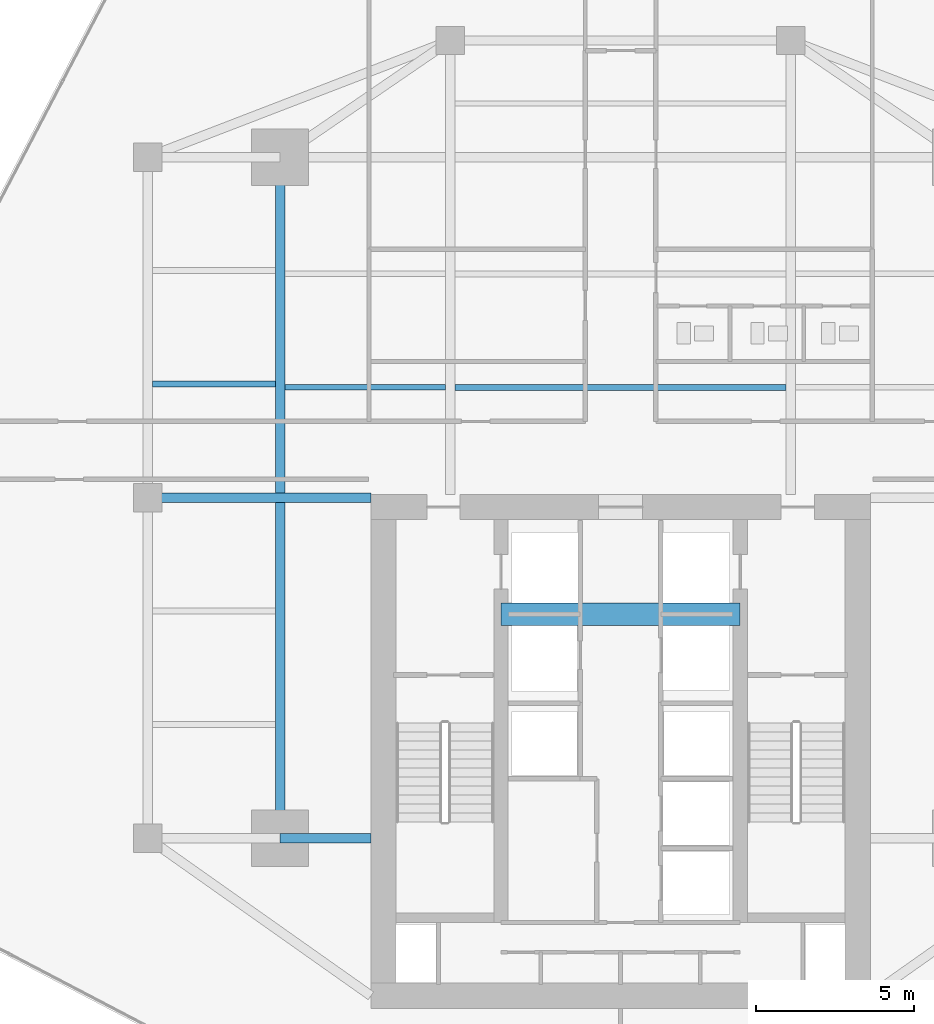
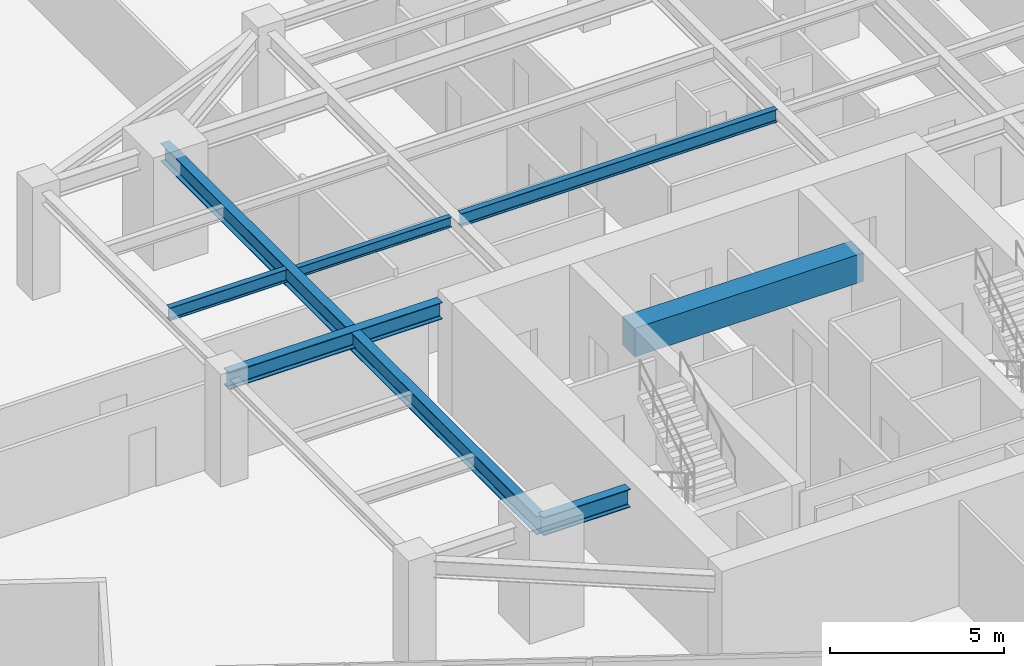
# One storey, part 8 of 27: 7 beams.
"""IFC4 building model written with IfcOpenShell, lengths in metres."""

import ifcopenshell
import ifcopenshell.guid

model = None  # the IFC model being written
_history = None  # IfcOwnerHistory: only IFC2X3 demands one
_inside = {}  # id of a spatial element -> (the spatial element, [elements in it])
_under = {}  # id of a project, library or spatial element -> (it, [spatial elements below it])
_declared = {}  # id of a project -> (the project, [libraries it declares])
_typed = {}  # id of a type object -> (the type object, [elements of that type])
_made_of = {}  # id of a material, layer set ... -> (it, [elements and type objects made of it])


def new_model(schema):
    """Start an empty IFC model of exactly this schema.

    Asked for "IFC4X3", IfcOpenShell would pick the latest addendum, in which some entities
    have other attributes; the version numbers below select the first issue.
    IFC2X3 requires an IfcOwnerHistory on every rooted entity: one is made here for all.
    """
    global model, _history
    if schema == "IFC4X3":
        model = ifcopenshell.file(schema_version=(4, 3, 0, 0))
    else:
        model = ifcopenshell.file(schema=schema)
    _inside.clear()
    _under.clear()
    _declared.clear()
    _typed.clear()
    _made_of.clear()
    _history = None
    if model.schema == "IFC2X3":
        org = make("IfcOrganization", Name="unknown")
        user = make(
            "IfcPersonAndOrganization",
            ThePerson=make("IfcPerson", FamilyName="unknown"),
            TheOrganization=org,
        )
        app = make(
            "IfcApplication",
            ApplicationDeveloper=org,
            Version="unknown",
            ApplicationFullName="unknown",
            ApplicationIdentifier="unknown",
        )
        _history = make(
            "IfcOwnerHistory",
            OwningUser=user,
            OwningApplication=app,
            ChangeAction="ADDED",
            CreationDate=0,
        )
    return model


def make(cls, **values):
    """One entity of the class cls with the attributes given. An attribute that is None is left unset."""
    return model.create_entity(
        cls, **{name: value for name, value in values.items() if value is not None}
    )


def rooted(cls, **values):
    """An entity with a GlobalId (a new one), such as an element, a storey or a relation."""
    return make(cls, GlobalId=ifcopenshell.guid.new(), OwnerHistory=_history, **values)


def si_unit(unit_type, name, prefix=None):
    """IfcSIUnit, for example si_unit("LENGTHUNIT", "METRE", prefix="MILLI")."""
    return make("IfcSIUnit", UnitType=unit_type, Prefix=prefix, Name=name)


def assignment(units):
    """IfcUnitAssignment: the units of a project."""
    return None if units is None else make("IfcUnitAssignment", Units=units)


def point(xyz):
    """IfcCartesianPoint."""
    return None if xyz is None else make("IfcCartesianPoint", Coordinates=xyz)


def direction(xyz):
    """IfcDirection."""
    return None if xyz is None else make("IfcDirection", DirectionRatios=xyz)


def frame(location, z_axis=None, x_axis=None):
    """IfcAxis2Placement3D, a coordinate frame: its origin and axes. An axis left out is left unset."""
    return make(
        "IfcAxis2Placement3D",
        Location=point(location),
        Axis=direction(z_axis),
        RefDirection=direction(x_axis),
    )


def frame_2d(location, x_axis=None):
    """IfcAxis2Placement2D, a coordinate frame in the plane: its origin and x axis."""
    return make(
        "IfcAxis2Placement2D", Location=point(location), RefDirection=direction(x_axis)
    )


def origin():
    """The frame at (0, 0, 0) with its axes left unset."""
    return frame((0.0, 0.0, 0.0))


def origin_2d():
    """The frame at (0, 0) in the plane with its x axis left unset."""
    return frame_2d((0.0, 0.0))


def place(relative_to, where):
    """IfcLocalPlacement: puts the frame where relative to a parent placement (None: the world)."""
    return make(
        "IfcLocalPlacement", PlacementRelTo=relative_to, RelativePlacement=where
    )


def context(
    kind, dimensions, precision=None, world=None, true_north=None, identifier=None
):
    """IfcGeometricRepresentationContext, for example the 3D "Model" context."""
    return make(
        "IfcGeometricRepresentationContext",
        ContextIdentifier=identifier,
        ContextType=kind,
        CoordinateSpaceDimension=dimensions,
        Precision=precision,
        WorldCoordinateSystem=world,
        TrueNorth=true_north,
    )


def subcontext(parent, identifier, kind, view, scale=None):
    """IfcGeometricRepresentationSubContext, for example "Body" below "Model"."""
    return make(
        "IfcGeometricRepresentationSubContext",
        ContextIdentifier=identifier,
        ContextType=kind,
        ParentContext=parent,
        TargetScale=scale,
        TargetView=view,
    )


def project(units=None, contexts=None):
    """IfcProject with its units and contexts."""
    return rooted(
        "IfcProject",
        Name="project",
        RepresentationContexts=contexts,
        UnitsInContext=assignment(units),
    )


def spatial(cls, under=None, at=None, **own):
    """A site, building, storey or space (cls), placed at a placement, below another one or the project."""
    s = rooted(cls, ObjectPlacement=at, **own)
    if under is not None:
        _under.setdefault(under.id(), (under, []))[1].append(s)
    return s


def profile(cls, at=None, kind="AREA", **sizes):
    """A parametric profile (cls). Its sizes go by their IFC names, for example OverallWidth=200.0."""
    return make(cls, ProfileType=kind, Position=at, **sizes)


def rectangle(**sizes):
    """IfcRectangleProfileDef."""
    return profile("IfcRectangleProfileDef", **sizes)


def i_section(**sizes):
    """IfcIShapeProfileDef."""
    return profile("IfcIShapeProfileDef", **sizes)


def extrude(swept, where, along, depth):
    """IfcExtrudedAreaSolid: the profile swept, set in the frame where, extruded along a direction by depth."""
    return make(
        "IfcExtrudedAreaSolid",
        SweptArea=swept,
        Position=where,
        ExtrudedDirection=direction(along),
        Depth=depth,
    )


def shape(context_of_items, identifier, shape_type, items):
    """IfcShapeRepresentation: the items that make up one representation, for example the "Body"."""
    return make(
        "IfcShapeRepresentation",
        ContextOfItems=context_of_items,
        RepresentationIdentifier=identifier,
        RepresentationType=shape_type,
        Items=items,
    )


def source(mapping_origin, context_of_items, identifier, shape_type, items):
    """IfcRepresentationMap: a shape defined once, which mapped items show again and again."""
    return make(
        "IfcRepresentationMap",
        MappingOrigin=mapping_origin,
        MappedRepresentation=shape(context_of_items, identifier, shape_type, items),
    )


def transform(
    local_origin,
    x_axis=None,
    y_axis=None,
    z_axis=None,
    scale=None,
    scale2=None,
    scale3=None,
    uniform=True,
):
    """IfcCartesianTransformationOperator3D, or its non-uniform kind. x_axis, y_axis, z_axis: its Axis1, 2, 3."""
    if uniform:
        return make(
            "IfcCartesianTransformationOperator3D",
            Axis1=direction(x_axis),
            Axis2=direction(y_axis),
            LocalOrigin=point(local_origin),
            Scale=scale,
            Axis3=direction(z_axis),
        )
    return make(
        "IfcCartesianTransformationOperator3DnonUniform",
        Axis1=direction(x_axis),
        Axis2=direction(y_axis),
        LocalOrigin=point(local_origin),
        Scale=scale,
        Axis3=direction(z_axis),
        Scale2=scale2,
        Scale3=scale3,
    )


def mapped(mapping_source, mapping_target):
    """IfcMappedItem: shows the shape of a source again, moved by a transform."""
    return make(
        "IfcMappedItem", MappingSource=mapping_source, MappingTarget=mapping_target
    )


def material(Name=None, Category=None):
    """IfcMaterial."""
    return make("IfcMaterial", Name=Name, Category=Category)


def material_profile(
    of_material, cross_section, Name=None, Category=None, Priority=None
):
    """IfcMaterialProfile: a cross section and its material."""
    return make(
        "IfcMaterialProfile",
        Name=Name,
        Material=of_material,
        Profile=cross_section,
        Priority=Priority,
        Category=Category,
    )


def profile_set(profiles, Name=None, composite=None):
    """IfcMaterialProfileSet."""
    return make(
        "IfcMaterialProfileSet",
        Name=Name,
        MaterialProfiles=profiles,
        CompositeProfile=composite,
    )


def made_of(thing, what):
    """Note that an element or type object is made of a material, layer set ...; save() writes the relation."""
    if what is not None:
        _made_of.setdefault(what.id(), (what, []))[1].append(thing)
    return thing


def type_object(cls, material=None, **own):
    """A type object (cls), such as IfcWallType, which elements share."""
    return made_of(rooted(cls, **own), material)


def type_shapes(of_type, sources):
    """Give a type object the sources (RepresentationMaps) that its elements show as mapped items."""
    of_type.RepresentationMaps = sources


def element(
    cls,
    number,
    at=None,
    inside=None,
    cuts=None,
    type_object=None,
    material=None,
    context=None,
    identifier="Body",
    shape_type=None,
    held_by="IfcProductDefinitionShape",
    body=None,
    shapes=None,
    **own,
):
    """One element of the class cls, such as IfcWall. Its Tag is "e" and its number.

    at: its placement. inside: the storey or other place that contains it. cuts: it is an
    opening in that element (IfcRelVoidsElement). A single representation is given by context,
    identifier, shape_type and body (its items); several are given by shapes. held_by: the class
    of the entity that holds the representations. save() writes the other relations.
    """
    e = rooted(cls, Tag="e%d" % number, ObjectPlacement=at, **own)
    if body is not None:
        shapes = [shape(context, identifier, shape_type, body)]
    if shapes is not None:
        e.Representation = make(held_by, Representations=shapes)
    if inside is not None:
        _inside.setdefault(inside.id(), (inside, []))[1].append(e)
    if cuts is not None:
        rooted(
            "IfcRelVoidsElement", RelatingBuildingElement=cuts, RelatedOpeningElement=e
        )
    if type_object is not None:
        _typed.setdefault(type_object.id(), (type_object, []))[1].append(e)
    return made_of(e, material)


def aggregate(whole, parts):
    """IfcRelAggregates: a whole, such as a stair, and the parts it consists of."""
    return rooted("IfcRelAggregates", RelatingObject=whole, RelatedObjects=parts)


def save(model, path):
    """Write the relations noted so far, then the file.

    IfcRelAggregates (storeys below a building ...), IfcRelContainedInSpatialStructure (elements
    in a storey), IfcRelDefinesByType, IfcRelAssociatesMaterial and IfcRelDeclares: one each for
    every whole, place, type object, material and project.
    """
    for whole, parts in _under.values():
        aggregate(whole, parts)
    for where, things in _inside.values():
        rooted(
            "IfcRelContainedInSpatialStructure",
            RelatedElements=things,
            RelatingStructure=where,
        )
    for kind, things in _typed.values():
        rooted("IfcRelDefinesByType", RelatedObjects=things, RelatingType=kind)
    for what, things in _made_of.values():
        rooted("IfcRelAssociatesMaterial", RelatedObjects=things, RelatingMaterial=what)
    for by, libraries in _declared.values():
        rooted("IfcRelDeclares", RelatingContext=by, RelatedDefinitions=libraries)
    model.write(path)


model = new_model("IFC4")

# Units and contexts
model_context = context("Model", 3, precision=1e-05, world=origin(), true_north=direction((0.0, 1.0)))
body_context = subcontext(model_context, "Body", "Model", "MODEL_VIEW")
ifc_project = project(units=[si_unit("LENGTHUNIT", "METRE"), si_unit("AREAUNIT", "SQUARE_METRE"), si_unit("VOLUMEUNIT", "CUBIC_METRE"), si_unit("PLANEANGLEUNIT", "RADIAN"), si_unit("MASSUNIT", "GRAM", prefix="KILO")], contexts=[model_context])

# Site, building, storey
site_placement = place(None, origin())
site = spatial("IfcSite", under=ifc_project, at=site_placement, CompositionType="ELEMENT")
building_placement = place(site_placement, origin())
building = spatial("IfcBuilding", under=site, at=building_placement, Name="Krantzveldt Concourse Tower", CompositionType="ELEMENT")
storey_placement = place(building_placement, frame((0.0, 0.0, 154.10009765625)))
storey = spatial("IfcBuildingStorey", under=building, at=storey_placement, Name="L37", CompositionType="ELEMENT", Elevation=154.10009765625)

# Beams
ifc_material_1 = material(Name="Steel S355JR", Category="steel")
ifc_material_profile_1 = material_profile(ifc_material_1, i_section(OverallWidth=0.300048828125, OverallDepth=0.639892578125, WebThickness=0.013427734375, FlangeThickness=0.02587890625, FilletRadius=0.027099609375, at=origin_2d()), Name="Steel S355JR", Category="steel")
ifc_profile_set_1 = profile_set([ifc_material_profile_1], Name="Steel S355JR - HEA 650")
beam_type_1 = type_object("IfcBeamType", Name="BM-B-HEA650", PredefinedType="BEAM", material=ifc_profile_set_1)
shared_shape_1 = source(origin(), body_context, "Body", "SweptSolid", [
    extrude(i_section(OverallWidth=0.300048828125, OverallDepth=0.639892578125, WebThickness=0.013427734375, FlangeThickness=0.02587890625, FilletRadius=0.027099609375, at=origin_2d()), origin(), (0.0, 0.0, 1.0), 21.60009765625),
])
beam_1_placement = place(storey_placement, frame((25.199951171875, 15.89990234375, 3.349853515625), z_axis=(0.0, 1.0, 0.0), x_axis=(-1.0, 0.0, 0.0)))
element("IfcBeam", 1, at=beam_1_placement, inside=storey, type_object=beam_type_1, Name="L37 Tower Girder BG-MW", PredefinedType="BEAM", context=body_context, shape_type="MappedRepresentation", body=[
    mapped(shared_shape_1, transform((0.0, 0.0, 0.0), x_axis=(1.0, 0.0, 0.0), y_axis=(0.0, 1.0, 0.0), z_axis=(0.0, 0.0, 1.0), scale=1.0)),
])
ifc_material_profile_2 = material_profile(ifc_material_1, i_section(OverallWidth=0.300048828125, OverallDepth=0.590087890625, WebThickness=0.012939453125, FlangeThickness=0.02490234375, FilletRadius=0.027099609375, at=origin_2d()), Name="Steel S355JR", Category="steel")
ifc_profile_set_2 = profile_set([ifc_material_profile_2], Name="Steel S355JR - HEA 600")
beam_type_2 = type_object("IfcBeamType", Name="BM-B-HEA600", PredefinedType="BEAM", material=ifc_profile_set_2)
shared_shape_2 = source(origin(), body_context, "Body", "SweptSolid", [
    extrude(i_section(OverallWidth=0.300048828125, OverallDepth=0.590087890625, WebThickness=0.012939453125, FlangeThickness=0.02490234375, FilletRadius=0.027099609375, at=origin_2d()), origin(), (0.0, 0.0, 1.0), 7.080078125),
])
type_shapes(beam_type_2, [shared_shape_2])
beam_2_placement = place(storey_placement, frame((21.0, 26.699951171875, 3.375), z_axis=(1.0, 0.0, 0.0), x_axis=(0.0, 1.0, 0.0)))
element("IfcBeam", 2, at=beam_2_placement, inside=storey, type_object=beam_type_2, Name="L37 Tower Girder BG-CW2", PredefinedType="BEAM", context=body_context, shape_type="MappedRepresentation", body=[
    mapped(shared_shape_2, transform((0.0, 0.0, 0.0), x_axis=(1.0, 0.0, 0.0), y_axis=(0.0, 1.0, 0.0), z_axis=(0.0, 0.0, 1.0), scale=1.0)),
])
ifc_material_profile_3 = material_profile(ifc_material_1, i_section(OverallWidth=0.18994140625, OverallDepth=0.449951171875, WebThickness=0.009521484375, FlangeThickness=0.0146484375, FilletRadius=0.02099609375, at=origin_2d()), Name="Steel S355JR", Category="steel")
ifc_profile_set_3 = profile_set([ifc_material_profile_3], Name="Steel S355JR - IPE 450")
beam_type_3 = type_object("IfcBeamType", Name="BM-J-IPE450", PredefinedType="JOIST", material=ifc_profile_set_3)
shared_shape_3 = source(origin(), body_context, "Body", "SweptSolid", [
    extrude(i_section(OverallWidth=0.18994140625, OverallDepth=0.449951171875, WebThickness=0.009521484375, FlangeThickness=0.0146484375, FilletRadius=0.02099609375, at=origin_2d()), origin(), (0.0, 0.0, 1.0), 10.5),
])
beam_3_placement = place(storey_placement, frame((30.75, 30.199951171875, 3.44482421875), z_axis=(1.0, 0.0, 0.0), x_axis=(0.0, 1.0, 0.0)))
element("IfcBeam", 3, at=beam_3_placement, inside=storey, type_object=beam_type_3, Name="L37 Secondary Floor Joist JN-C1", PredefinedType="JOIST", context=body_context, shape_type="MappedRepresentation", body=[
    mapped(shared_shape_3, transform((0.0, 0.0, 0.0), x_axis=(1.0, 0.0, 0.0), y_axis=(0.0, 1.0, 0.0), z_axis=(0.0, 0.0, 1.0), scale=1.0)),
])
ifc_material_2 = material(Name="Concrete C50/60", Category="concrete")
ifc_material_profile_4 = material_profile(ifc_material_2, rectangle(XDim=0.699951171875, YDim=1.0, at=origin_2d()), Name="Concrete C50/60", Category="concrete")
ifc_profile_set_4 = profile_set([ifc_material_profile_4], Name="Concrete C50/60 - RC-CB 700x1000")
beam_type_4 = type_object("IfcBeamType", Name="BM-CB-1000", PredefinedType="LINTEL", material=ifc_profile_set_4)
shared_shape_4 = source(origin(), body_context, "Body", "SweptSolid", [
    extrude(rectangle(XDim=0.699951171875, YDim=1.0, at=origin_2d()), origin(), (0.0, 0.0, 1.0), 7.580078125),
])
type_shapes(beam_type_4, [shared_shape_4])
beam_4_placement = place(storey_placement, frame((32.2099609375, 23.0, 3.169921875), z_axis=(1.0, 0.0, 0.0), x_axis=(0.0, 1.0, 0.0)))
element("IfcBeam", 4, at=beam_4_placement, inside=storey, type_object=beam_type_4, Name="CB-L37-01", PredefinedType="LINTEL", context=body_context, shape_type="MappedRepresentation", body=[
    mapped(shared_shape_4, transform((0.0, 0.0, 0.0), x_axis=(1.0, 0.0, 0.0), y_axis=(0.0, 1.0, 0.0), z_axis=(0.0, 0.0, 1.0), scale=1.0)),
])
shared_shape_5 = source(origin(), body_context, "Body", "SweptSolid", [
    extrude(i_section(OverallWidth=0.300048828125, OverallDepth=0.639892578125, WebThickness=0.013427734375, FlangeThickness=0.02587890625, FilletRadius=0.027099609375, at=origin_2d()), origin(), (0.0, 0.0, 1.0), 2.880126953125),
])
type_shapes(beam_type_1, [shared_shape_1, shared_shape_5])
beam_5_placement = place(storey_placement, frame((25.199951171875, 15.89990234375, 3.349853515625), z_axis=(1.0, 0.0, 0.0), x_axis=(0.0, 1.0, 0.0)))
element("IfcBeam", 5, at=beam_5_placement, inside=storey, type_object=beam_type_1, Name="L37 Tower Girder BG-CW1", PredefinedType="BEAM", context=body_context, shape_type="MappedRepresentation", body=[
    mapped(shared_shape_5, transform((0.0, 0.0, 0.0), x_axis=(1.0, 0.0, 0.0), y_axis=(0.0, 1.0, 0.0), z_axis=(0.0, 0.0, 1.0), scale=1.0)),
])
ifc_material_profile_5 = material_profile(ifc_material_1, i_section(OverallWidth=0.169921875, OverallDepth=0.360107421875, WebThickness=0.008056640625, FlangeThickness=0.0126953125, FilletRadius=0.01806640625, at=origin_2d()), Name="Steel S355JR", Category="steel")
ifc_profile_set_5 = profile_set([ifc_material_profile_5], Name="Steel S355JR - IPE 360")
beam_type_5 = type_object("IfcBeamType", Name="BM-J-IPE360", PredefinedType="JOIST", material=ifc_profile_set_5)
shared_shape_6 = source(origin(), body_context, "Body", "SweptSolid", [
    extrude(i_section(OverallWidth=0.169921875, OverallDepth=0.360107421875, WebThickness=0.008056640625, FlangeThickness=0.0126953125, FilletRadius=0.01806640625, at=origin_2d()), origin(), (0.0, 0.0, 1.0), 5.099853515625),
])
type_shapes(beam_type_5, [shared_shape_6])
beam_6_placement = place(storey_placement, frame((25.35009765625, 30.199951171875, 3.489990234375), z_axis=(1.0, 0.0, 0.0), x_axis=(0.0, 1.0, 0.0)))
element("IfcBeam", 6, at=beam_6_placement, inside=storey, type_object=beam_type_5, Name="L37 Secondary Floor Joist JN-W1", PredefinedType="JOIST", context=body_context, shape_type="MappedRepresentation", body=[
    mapped(shared_shape_6, transform((0.0, 0.0, 0.0), x_axis=(1.0, 0.0, 0.0), y_axis=(0.0, 1.0, 0.0), z_axis=(0.0, 0.0, 1.0), scale=1.0)),
])
shared_shape_7 = source(origin(), body_context, "Body", "SweptSolid", [
    extrude(i_section(OverallWidth=0.18994140625, OverallDepth=0.449951171875, WebThickness=0.009521484375, FlangeThickness=0.0146484375, FilletRadius=0.02099609375, at=origin_2d()), origin(), (0.0, 0.0, 1.0), 3.900146484375),
])
type_shapes(beam_type_3, [shared_shape_3, shared_shape_7])
beam_7_placement = place(storey_placement, frame((21.14990234375, 30.300048828125, 3.44482421875), z_axis=(1.0, 0.0, 0.0), x_axis=(0.0, 1.0, 0.0)))
element("IfcBeam", 7, at=beam_7_placement, inside=storey, type_object=beam_type_3, Name="L37 Secondary Floor Joist JW-3", PredefinedType="JOIST", context=body_context, shape_type="MappedRepresentation", body=[
    mapped(shared_shape_7, transform((0.0, 0.0, 0.0), x_axis=(1.0, 0.0, 0.0), y_axis=(0.0, 1.0, 0.0), z_axis=(0.0, 0.0, 1.0), scale=1.0)),
])

save(model, "model.ifc")
